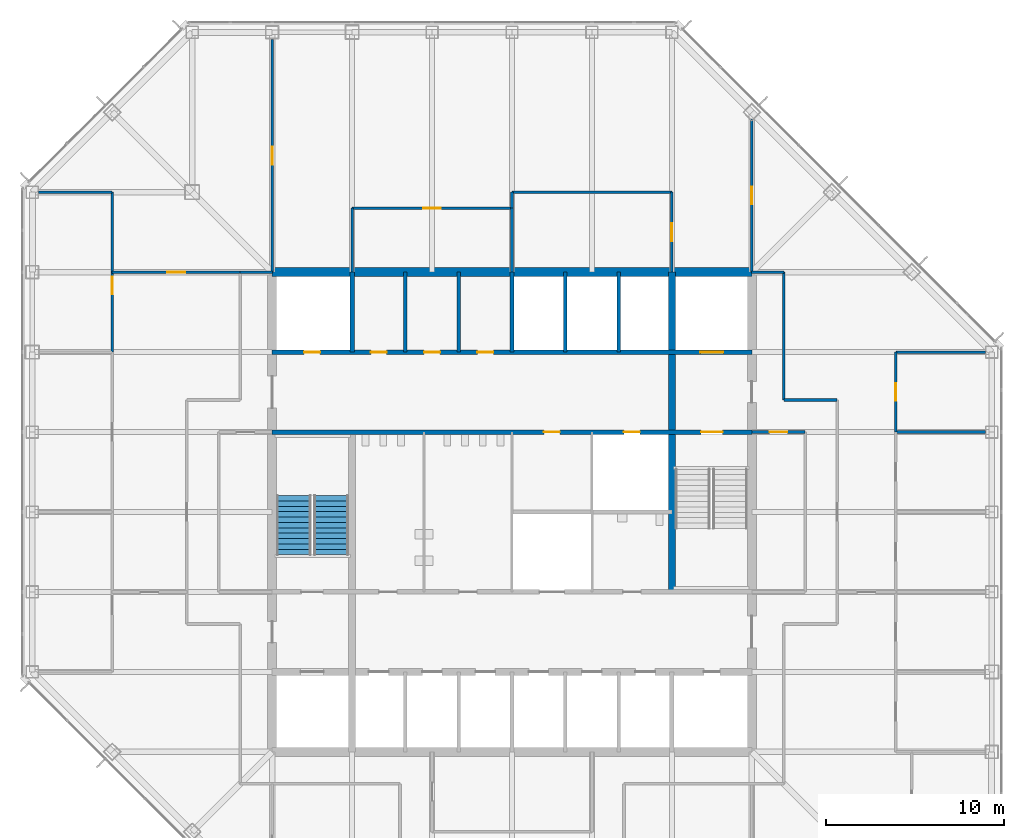
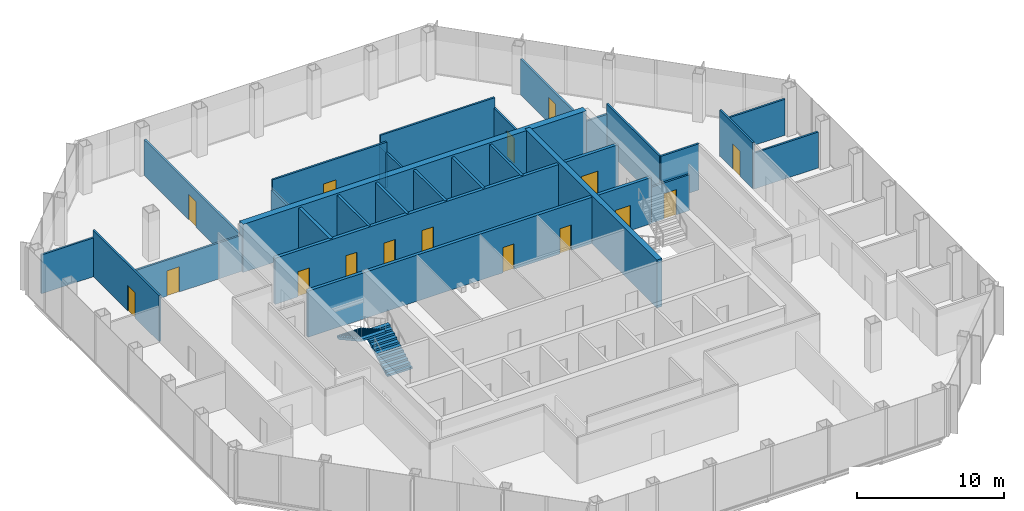
# One storey, part 10 of 13: 29 walls, 16 doors, 2 stair flights, 16 openings, 1 element without a shape of its own.
"""IFC4 building model written with IfcOpenShell, lengths in metres."""

from ifc_helpers import new_model, si_unit, direction, frame, frame_2d, origin, place, context, subcontext, project, spatial, polyline, rectangle, outline, extrude, material, layer, layer_set, type_object, element, fill, aggregate, save


model = new_model("IFC4")

# Units and contexts
model_context = context("Model", 3, precision=1e-05, world=origin(), true_north=direction((0.0, 1.0)))
body_context = subcontext(model_context, "Body", "Model", "MODEL_VIEW")
ifc_project = project(units=[si_unit("LENGTHUNIT", "METRE"), si_unit("AREAUNIT", "SQUARE_METRE"), si_unit("VOLUMEUNIT", "CUBIC_METRE"), si_unit("PLANEANGLEUNIT", "RADIAN"), si_unit("MASSUNIT", "GRAM", prefix="KILO")], contexts=[model_context])

# Site, building, storey
site_placement = place(None, origin())
site = spatial("IfcSite", under=ifc_project, at=site_placement, CompositionType="ELEMENT")
building_placement = place(site_placement, origin())
building = spatial("IfcBuilding", under=site, at=building_placement, Name="Corais Broadcast Tower", CompositionType="ELEMENT")
storey_placement = place(building_placement, frame((0.0, 0.0, 175.60009765625)))
storey = spatial("IfcBuildingStorey", under=building, at=storey_placement, Name="L40", CompositionType="ELEMENT", Elevation=175.60009765625)

# Wall
ifc_material_1 = material(Name="Concrete blockwork class A, grouted, two-hour", Category="masonry")
ifc_layer_1 = layer(ifc_material_1, 0.25)
ifc_layer_set_1 = layer_set([ifc_layer_1], Name="Concrete blockwork class A, grouted, two-hour")
wall_type_1 = type_object("IfcWallType", Name="Core lobby wall 250", PredefinedType="SOLIDWALL", material=ifc_layer_set_1)
wall_1_placement = place(storey_placement, frame((18.0, 36.0, 0.0), z_axis=(0.0, 0.0, 1.0), x_axis=(0.0, 1.0, 0.0)))
element("IfcWall", 1, at=wall_1_placement, inside=storey, type_object=wall_type_1, Name="CL2 core shaft wall X18B L40", PredefinedType="SOLIDWALL", context=body_context, shape_type="SweptSolid", body=[
    extrude(rectangle(XDim=4.5, YDim=0.25, at=frame_2d((2.25, 0.0))), origin(), (0.0, 0.0, 1.0), 3.83984375),
])

# Wall, openings, doors
wall_2_placement = place(storey_placement, frame((13.5, 31.5, 0.0), z_axis=(0.0, 0.0, 1.0), x_axis=(1.0, 0.0, 0.0)))
wall_2 = element("IfcWall", 2, at=wall_2_placement, inside=storey, type_object=wall_type_1, Name="CL2 core lobby wall Y315 L40", PredefinedType="SOLIDWALL", context=body_context, shape_type="SweptSolid", body=[
    extrude(rectangle(XDim=27.0, YDim=0.25, at=frame_2d((13.5, 0.0))), origin(), (0.0, 0.0, 1.0), 3.83984375),
])
opening_1_placement = place(wall_2_placement, frame((24.14990234375, 0.0, 0.0)))
opening_1 = element("IfcOpeningElement", 3, at=opening_1_placement, cuts=wall_2, Name="Opening FD1", PredefinedType="OPENING", context=body_context, shape_type="SweptSolid", body=[
    extrude(rectangle(XDim=1.199951171875, YDim=2.10009765625, at=frame_2d((0.60009765625, 1.050048828125))), frame((0.0, 0.135009765625, 0.0), z_axis=(0.0, -1.0, 0.0), x_axis=(1.0, 0.0, 0.0)), (0.0, 0.0, 1.0), 0.27001953125),
])
opening_2_placement = place(wall_2_placement, frame((15.300048828125, 0.0, 0.0)))
opening_2 = element("IfcOpeningElement", 4, at=opening_2_placement, cuts=wall_2, Name="Opening RD1", PredefinedType="OPENING", context=body_context, shape_type="SweptSolid", body=[
    extrude(rectangle(XDim=0.89990234375, YDim=2.10009765625, at=frame_2d((0.449951171875, 1.050048828125))), frame((0.0, 0.135009765625, 0.0), z_axis=(0.0, -1.0, 0.0), x_axis=(1.0, 0.0, 0.0)), (0.0, 0.0, 1.0), 0.27001953125),
])
opening_3_placement = place(wall_2_placement, frame((19.800048828125, 0.0, 0.0)))
opening_3 = element("IfcOpeningElement", 5, at=opening_3_placement, cuts=wall_2, Name="Opening RD1", PredefinedType="OPENING", context=body_context, shape_type="SweptSolid", body=[
    extrude(rectangle(XDim=0.89990234375, YDim=2.10009765625, at=frame_2d((0.449951171875, 1.050048828125))), frame((0.0, 0.135009765625, 0.0), z_axis=(0.0, -1.0, 0.0), x_axis=(1.0, 0.0, 0.0)), (0.0, 0.0, 1.0), 0.27001953125),
])
ifc_material_2 = material(Name="Steel fire door", Category="steel")
door_type_1 = type_object("IfcDoorType", Name="Fire door 1200x2100", OperationType="SINGLE_SWING_LEFT", PredefinedType="DOOR", material=ifc_material_2)
door_1_placement = place(opening_1_placement, origin())
door_1 = element("IfcDoor", 6, at=door_1_placement, inside=storey, type_object=door_type_1, Name="FD1 stair B door L40", OperationType="SINGLE_SWING_RIGHT", OverallHeight=2.10009765625, OverallWidth=1.199951171875, PredefinedType="DOOR", context=body_context, shape_type="SweptSolid", body=[
    extrude(rectangle(XDim=1.199951171875, YDim=2.10009765625, at=frame_2d((0.60009765625, 1.050048828125))), frame((0.0, 0.02490234375, 0.0), z_axis=(0.0, -1.0, 0.0), x_axis=(1.0, 0.0, 0.0)), (0.0, 0.0, 1.0), 0.050048828125),
])
fill(opening_1, door_1)
ifc_material_3 = material(Name="Steel fire door", Category="steel")
door_type_2 = type_object("IfcDoorType", Name="Riser door 900x2100", OperationType="SINGLE_SWING_LEFT", PredefinedType="DOOR", material=ifc_material_3)
door_2_placement = place(opening_2_placement, origin())
door_2 = element("IfcDoor", 7, at=door_2_placement, inside=storey, type_object=door_type_2, Name="RD1 cleaner's store door L40", OperationType="SINGLE_SWING_RIGHT", OverallHeight=2.10009765625, OverallWidth=0.89990234375, PredefinedType="DOOR", context=body_context, shape_type="SweptSolid", body=[
    extrude(rectangle(XDim=0.89990234375, YDim=2.10009765625, at=frame_2d((0.449951171875, 1.050048828125))), frame((0.0, 0.02490234375, 0.0), z_axis=(0.0, -1.0, 0.0), x_axis=(1.0, 0.0, 0.0)), (0.0, 0.0, 1.0), 0.050048828125),
])
fill(opening_2, door_2)
door_3_placement = place(opening_3_placement, origin())
door_3 = element("IfcDoor", 8, at=door_3_placement, inside=storey, type_object=door_type_2, Name="RD1 riser door L40", OperationType="SINGLE_SWING_RIGHT", OverallHeight=2.10009765625, OverallWidth=0.89990234375, PredefinedType="DOOR", context=body_context, shape_type="SweptSolid", body=[
    extrude(rectangle(XDim=0.89990234375, YDim=2.10009765625, at=frame_2d((0.449951171875, 1.050048828125))), frame((0.0, 0.02490234375, 0.0), z_axis=(0.0, -1.0, 0.0), x_axis=(1.0, 0.0, 0.0)), (0.0, 0.0, 1.0), 0.050048828125),
])
fill(opening_3, door_3)

# Walls
ifc_material_4 = material(Name="Concrete C50/60", Category="concrete")
ifc_layer_2 = layer(ifc_material_4, 0.39990234375)
ifc_layer_set_2 = layer_set([ifc_layer_2], Name="Concrete C50/60")
wall_type_2 = type_object("IfcWallType", Name="Core wall 400", PredefinedType="SHEAR", material=ifc_layer_set_2)
wall_3_placement = place(storey_placement, frame((36.0, 22.5, 0.0), z_axis=(0.0, 0.0, 1.0), x_axis=(0.0, 1.0, 0.0)))
element("IfcWall", 9, at=wall_3_placement, inside=storey, type_object=wall_type_2, Name="CR400 core wall X36B L40", PredefinedType="SHEAR", context=body_context, shape_type="SweptSolid", body=[
    extrude(rectangle(XDim=18.0, YDim=0.39990234375, at=frame_2d((9.0, 0.0))), origin(), (0.0, 0.0, 1.0), 4.0),
])
ifc_material_5 = material(Name="Concrete C50/60", Category="concrete")
ifc_layer_3 = layer(ifc_material_5, 0.5)
ifc_layer_set_3 = layer_set([ifc_layer_3], Name="Concrete C50/60")
wall_type_3 = type_object("IfcWallType", Name="Core wall 500", PredefinedType="SHEAR", material=ifc_layer_set_3)
wall_4_placement = place(storey_placement, frame((40.5, 40.5, 0.0), z_axis=(0.0, 0.0, 1.0), x_axis=(-1.0, 0.0, 0.0)))
element("IfcWall", 10, at=wall_4_placement, inside=storey, type_object=wall_type_3, Name="CR500 core wall N L40", PredefinedType="SHEAR", context=body_context, shape_type="SweptSolid", body=[
    extrude(rectangle(XDim=27.0, YDim=0.5, at=frame_2d((13.5, 0.0))), origin(), (0.0, 0.0, 1.0), 4.0),
])

# Wall, openings, doors
ifc_material_6 = material(Name="Concrete blockwork class A, grouted, four-hour", Category="masonry")
ifc_layer_4 = layer(ifc_material_6, 0.25)
ifc_layer_set_4 = layer_set([ifc_layer_4], Name="Concrete blockwork class A, grouted, four-hour")
wall_type_4 = type_object("IfcWallType", Name="Emergency lift shaft wall 250", PredefinedType="SOLIDWALL", material=ifc_layer_set_4)
wall_5_placement = place(storey_placement, frame((13.5, 36.0, 0.0), z_axis=(0.0, 0.0, 1.0), x_axis=(1.0, 0.0, 0.0)))
wall_5 = element("IfcWall", 11, at=wall_5_placement, inside=storey, type_object=wall_type_4, Name="LS2 core lobby wall Y36 L40", PredefinedType="SOLIDWALL", context=body_context, shape_type="SweptSolid", body=[
    extrude(rectangle(XDim=27.0, YDim=0.25, at=frame_2d((13.5, 0.0))), origin(), (0.0, 0.0, 1.0), 3.83984375),
])
opening_4_placement = place(wall_5_placement, frame((1.800048828125, 0.0, 0.0)))
opening_4 = element("IfcOpeningElement", 12, at=opening_4_placement, cuts=wall_5, Name="Opening RD1", PredefinedType="OPENING", context=body_context, shape_type="SweptSolid", body=[
    extrude(rectangle(XDim=0.89990234375, YDim=2.10009765625, at=frame_2d((0.449951171875, 1.050048828125))), frame((0.0, 0.135009765625, 0.0), z_axis=(0.0, -1.0, 0.0), x_axis=(1.0, 0.0, 0.0)), (0.0, 0.0, 1.0), 0.27001953125),
])
opening_5_placement = place(wall_5_placement, frame((5.550048828125, 0.0, 0.0)))
opening_5 = element("IfcOpeningElement", 13, at=opening_5_placement, cuts=wall_5, Name="Opening RD1", PredefinedType="OPENING", context=body_context, shape_type="SweptSolid", body=[
    extrude(rectangle(XDim=0.89990234375, YDim=2.10009765625, at=frame_2d((0.449951171875, 1.050048828125))), frame((0.0, 0.135009765625, 0.0), z_axis=(0.0, -1.0, 0.0), x_axis=(1.0, 0.0, 0.0)), (0.0, 0.0, 1.0), 0.27001953125),
])
opening_6_placement = place(wall_5_placement, frame((8.550048828125, 0.0, 0.0)))
opening_6 = element("IfcOpeningElement", 14, at=opening_6_placement, cuts=wall_5, Name="Opening RD1", PredefinedType="OPENING", context=body_context, shape_type="SweptSolid", body=[
    extrude(rectangle(XDim=0.89990234375, YDim=2.10009765625, at=frame_2d((0.449951171875, 1.050048828125))), frame((0.0, 0.135009765625, 0.0), z_axis=(0.0, -1.0, 0.0), x_axis=(1.0, 0.0, 0.0)), (0.0, 0.0, 1.0), 0.27001953125),
])
opening_7_placement = place(wall_5_placement, frame((11.550048828125, 0.0, 0.0)))
opening_7 = element("IfcOpeningElement", 15, at=opening_7_placement, cuts=wall_5, Name="Opening RD1", PredefinedType="OPENING", context=body_context, shape_type="SweptSolid", body=[
    extrude(rectangle(XDim=0.89990234375, YDim=2.10009765625, at=frame_2d((0.449951171875, 1.050048828125))), frame((0.0, 0.135009765625, 0.0), z_axis=(0.0, -1.0, 0.0), x_axis=(1.0, 0.0, 0.0)), (0.0, 0.0, 1.0), 0.27001953125),
])
opening_8_placement = place(wall_5_placement, frame((24.10009765625, 0.0, 0.0)))
opening_8 = element("IfcOpeningElement", 16, at=opening_8_placement, cuts=wall_5, Name="Opening LD2", PredefinedType="OPENING", context=body_context, shape_type="SweptSolid", body=[
    extrude(rectangle(XDim=1.300048828125, YDim=2.199951171875, at=frame_2d((0.64990234375, 1.10009765625))), frame((0.0, 0.135009765625, 0.0), z_axis=(0.0, -1.0, 0.0), x_axis=(1.0, 0.0, 0.0)), (0.0, 0.0, 1.0), 0.27001953125),
])
ifc_material_7 = material(Name="Stainless steel lift door", Category="steel")
door_type_3 = type_object("IfcDoorType", Name="Lift landing door 1300x2200", OperationType="SLIDING_TO_LEFT", PredefinedType="DOOR", material=ifc_material_7)
door_4_placement = place(opening_8_placement, origin())
door_4 = element("IfcDoor", 17, at=door_4_placement, inside=storey, type_object=door_type_3, Name="LD2 FL2 landing door L40", OperationType="SLIDING_TO_LEFT", OverallHeight=2.199951171875, OverallWidth=1.300048828125, PredefinedType="DOOR", context=body_context, shape_type="SweptSolid", body=[
    extrude(rectangle(XDim=1.300048828125, YDim=2.199951171875, at=frame_2d((0.64990234375, 1.10009765625))), frame((0.0, 0.02490234375, 0.0), z_axis=(0.0, -1.0, 0.0), x_axis=(1.0, 0.0, 0.0)), (0.0, 0.0, 1.0), 0.050048828125),
])
fill(opening_8, door_4)
door_5_placement = place(opening_4_placement, origin())
door_5 = element("IfcDoor", 18, at=door_5_placement, inside=storey, type_object=door_type_2, Name="RD1 riser door L40", OperationType="SINGLE_SWING_LEFT", OverallHeight=2.10009765625, OverallWidth=0.89990234375, PredefinedType="DOOR", context=body_context, shape_type="SweptSolid", body=[
    extrude(rectangle(XDim=0.89990234375, YDim=2.10009765625, at=frame_2d((0.449951171875, 1.050048828125))), frame((0.0, 0.02490234375, 0.0), z_axis=(0.0, -1.0, 0.0), x_axis=(1.0, 0.0, 0.0)), (0.0, 0.0, 1.0), 0.050048828125),
])
fill(opening_4, door_5)
door_6_placement = place(opening_5_placement, origin())
door_6 = element("IfcDoor", 19, at=door_6_placement, inside=storey, type_object=door_type_2, Name="RD1 print room door L40", OperationType="SINGLE_SWING_LEFT", OverallHeight=2.10009765625, OverallWidth=0.89990234375, PredefinedType="DOOR", context=body_context, shape_type="SweptSolid", body=[
    extrude(rectangle(XDim=0.89990234375, YDim=2.10009765625, at=frame_2d((0.449951171875, 1.050048828125))), frame((0.0, 0.02490234375, 0.0), z_axis=(0.0, -1.0, 0.0), x_axis=(1.0, 0.0, 0.0)), (0.0, 0.0, 1.0), 0.050048828125),
])
fill(opening_5, door_6)
door_7_placement = place(opening_6_placement, origin())
door_7 = element("IfcDoor", 20, at=door_7_placement, inside=storey, type_object=door_type_2, Name="RD1 wellness room door L40", OperationType="SINGLE_SWING_LEFT", OverallHeight=2.10009765625, OverallWidth=0.89990234375, PredefinedType="DOOR", context=body_context, shape_type="SweptSolid", body=[
    extrude(rectangle(XDim=0.89990234375, YDim=2.10009765625, at=frame_2d((0.449951171875, 1.050048828125))), frame((0.0, 0.02490234375, 0.0), z_axis=(0.0, -1.0, 0.0), x_axis=(1.0, 0.0, 0.0)), (0.0, 0.0, 1.0), 0.050048828125),
])
fill(opening_6, door_7)
door_8_placement = place(opening_7_placement, origin())
door_8 = element("IfcDoor", 21, at=door_8_placement, inside=storey, type_object=door_type_2, Name="RD1 first aid room door L40", OperationType="SINGLE_SWING_LEFT", OverallHeight=2.10009765625, OverallWidth=0.89990234375, PredefinedType="DOOR", context=body_context, shape_type="SweptSolid", body=[
    extrude(rectangle(XDim=0.89990234375, YDim=2.10009765625, at=frame_2d((0.449951171875, 1.050048828125))), frame((0.0, 0.02490234375, 0.0), z_axis=(0.0, -1.0, 0.0), x_axis=(1.0, 0.0, 0.0)), (0.0, 0.0, 1.0), 0.050048828125),
])
fill(opening_7, door_8)

# Walls
ifc_material_8 = material(Name="Gypsum board on steel studs", Category="steel")
ifc_layer_5 = layer(ifc_material_8, 0.14990234375)
ifc_layer_set_5 = layer_set([ifc_layer_5], Name="Gypsum board on steel studs")
wall_type_5 = type_object("IfcWallType", Name="Partition 150", PredefinedType="PARTITIONING", material=ifc_layer_set_5)
wall_6_placement = place(storey_placement, frame((42.300048828125, 33.300048828125, 0.0), z_axis=(0.0, 0.0, 1.0), x_axis=(0.0, 1.0, 0.0)))
element("IfcWall", 22, at=wall_6_placement, inside=storey, type_object=wall_type_5, Name="IW3 corridor wall L40", PredefinedType="PARTITIONING", context=body_context, shape_type="SweptSolid", body=[
    extrude(rectangle(XDim=7.199951171875, YDim=0.14990234375, at=frame_2d((3.60009765625, 0.0))), origin(), (0.0, 0.0, 1.0), 3.83984375),
])
wall_7_placement = place(storey_placement, frame((45.300048828125, 33.300048828125, 0.0), z_axis=(0.0, 0.0, 1.0), x_axis=(-1.0, 0.0, 0.0)))
element("IfcWall", 23, at=wall_7_placement, inside=storey, type_object=wall_type_5, Name="IW3 corridor wall L40", PredefinedType="PARTITIONING", context=body_context, shape_type="SweptSolid", body=[
    extrude(rectangle(XDim=3.0, YDim=0.14990234375, at=frame_2d((1.5, 0.0))), origin(), (0.0, 0.0, 1.0), 3.83984375),
])
for number, where, z_axis, x_axis, name in (
    (24, (13.510009765625, 40.5, 0.0), (0.0, 0.0, 1.0), (-1.0, 0.0, 0.0), "IW3 corridor wall L40"),
    (25, (42.300048828125, 40.5, 0.0), (0.0, 0.0, 1.0), (-1.0, 0.0, 0.0), "IW3 corridor wall L40"),
):
    element("IfcWall", number, at=place(storey_placement, frame(where, z_axis=z_axis, x_axis=x_axis)), inside=storey, type_object=wall_type_5, Name=name, PredefinedType="PARTITIONING", context=body_context, shape_type="SweptSolid", body=[
        extrude(rectangle(XDim=1.81005859375, YDim=0.14990234375, at=frame_2d((0.905029296875, 0.0))), origin(), (0.0, 0.0, 1.0), 2.989013671875),
    ])

# Wall, opening, door
wall_8_placement = place(storey_placement, frame((4.5, 36.0, 0.0), z_axis=(0.0, 0.0, 1.0), x_axis=(0.0, 1.0, 0.0)))
wall_8 = element("IfcWall", 26, at=wall_8_placement, inside=storey, type_object=wall_type_5, Name="IW3 partition L40", PredefinedType="PARTITIONING", context=body_context, shape_type="SweptSolid", body=[
    extrude(rectangle(XDim=9.0, YDim=0.14990234375, at=frame_2d((4.5, 0.0))), origin(), (0.0, 0.0, 1.0), 3.83984375),
])
opening_9_placement = place(wall_8_placement, frame((3.25, 0.0, 0.0)))
opening_9 = element("IfcOpeningElement", 27, at=opening_9_placement, cuts=wall_8, Name="Opening D1", PredefinedType="OPENING", context=body_context, shape_type="SweptSolid", body=[
    extrude(rectangle(XDim=1.0, YDim=2.10009765625, at=frame_2d((0.5, 1.050048828125))), frame((0.0, 0.0849609375, 0.0), z_axis=(0.0, -1.0, 0.0), x_axis=(1.0, 0.0, 0.0)), (0.0, 0.0, 1.0), 0.169921875),
])
ifc_material_9 = material(Name="Timber door", Category="wood")
door_type_4 = type_object("IfcDoorType", Name="Single door 1000x2100", OperationType="SINGLE_SWING_LEFT", PredefinedType="DOOR", material=ifc_material_9)
door_9_placement = place(opening_9_placement, origin())
door_9 = element("IfcDoor", 28, at=door_9_placement, inside=storey, type_object=door_type_4, Name="D1 Office door", OperationType="SINGLE_SWING_LEFT", OverallHeight=2.10009765625, OverallWidth=1.0, PredefinedType="DOOR", context=body_context, shape_type="SweptSolid", body=[
    extrude(rectangle(XDim=1.0, YDim=2.10009765625, at=frame_2d((0.5, 1.050048828125))), frame((0.0, 0.02490234375, 0.0), z_axis=(0.0, -1.0, 0.0), x_axis=(1.0, 0.0, 0.0)), (0.0, 0.0, 1.0), 0.050048828125),
])
fill(opening_9, door_9)

# Walls
wall_9_placement = place(storey_placement, frame((4.5, 45.0, 0.0), z_axis=(0.0, 0.0, 1.0), x_axis=(-1.0, 0.0, 0.0)))
element("IfcWall", 29, at=wall_9_placement, inside=storey, type_object=wall_type_5, Name="IW3 partition L40", PredefinedType="PARTITIONING", context=body_context, shape_type="SweptSolid", body=[
    extrude(rectangle(XDim=4.139892578125, YDim=0.14990234375, at=frame_2d((2.06982421875, 0.0))), origin(), (0.0, 0.0, 1.0), 3.22900390625),
])
for number, where, z_axis, x_axis, name in (
    (30, (53.639892578125, 31.5, 0.0), (0.0, 0.0, 1.0), (-1.0, 0.0, 0.0), "IW3 partition L40"),
    (31, (53.639892578125, 36.0, 0.0), (0.0, 0.0, 1.0), (-1.0, 0.0, 0.0), "IW3 partition L40"),
):
    element("IfcWall", number, at=place(storey_placement, frame(where, z_axis=z_axis, x_axis=x_axis)), inside=storey, type_object=wall_type_5, Name=name, PredefinedType="PARTITIONING", context=body_context, shape_type="SweptSolid", body=[
        extrude(rectangle(XDim=5.039794921875, YDim=0.14990234375, at=frame_2d((2.52001953125, 0.0))), origin(), (0.0, 0.0, 1.0), 2.989013671875),
    ])

# Wall, opening, door
wall_10_placement = place(storey_placement, frame((48.60009765625, 36.0, 0.0), z_axis=(0.0, 0.0, 1.0), x_axis=(0.0, -1.0, 0.0)))
wall_10 = element("IfcWall", 32, at=wall_10_placement, inside=storey, type_object=wall_type_5, Name="IW3 partition L40", PredefinedType="PARTITIONING", context=body_context, shape_type="SweptSolid", body=[
    extrude(rectangle(XDim=4.5, YDim=0.14990234375, at=frame_2d((2.25, 0.0))), origin(), (0.0, 0.0, 1.0), 3.83984375),
])
opening_10_placement = place(wall_10_placement, frame((1.75, 0.0, 0.0)))
opening_10 = element("IfcOpeningElement", 33, at=opening_10_placement, cuts=wall_10, Name="Opening D1", PredefinedType="OPENING", context=body_context, shape_type="SweptSolid", body=[
    extrude(rectangle(XDim=1.0, YDim=2.10009765625, at=frame_2d((0.5, 1.050048828125))), frame((0.0, 0.0849609375, 0.0), z_axis=(0.0, -1.0, 0.0), x_axis=(1.0, 0.0, 0.0)), (0.0, 0.0, 1.0), 0.169921875),
])
door_10_placement = place(opening_10_placement, origin())
door_10 = element("IfcDoor", 34, at=door_10_placement, inside=storey, type_object=door_type_4, Name="D1 Office door", OperationType="SINGLE_SWING_LEFT", OverallHeight=2.10009765625, OverallWidth=1.0, PredefinedType="DOOR", context=body_context, shape_type="SweptSolid", body=[
    extrude(rectangle(XDim=1.0, YDim=2.10009765625, at=frame_2d((0.5, 1.050048828125))), frame((0.0, 0.02490234375, 0.0), z_axis=(0.0, -1.0, 0.0), x_axis=(1.0, 0.0, 0.0)), (0.0, 0.0, 1.0), 0.050048828125),
])
fill(opening_10, door_10)

# Wall
wall_11_placement = place(storey_placement, frame((27.0, 40.5, 0.0), z_axis=(0.0, 0.0, 1.0), x_axis=(0.0, 1.0, 0.0)))
element("IfcWall", 35, at=wall_11_placement, inside=storey, type_object=wall_type_5, Name="IW3 partition L40", PredefinedType="PARTITIONING", context=body_context, shape_type="SweptSolid", body=[
    extrude(rectangle(XDim=3.60009765625, YDim=0.14990234375, at=frame_2d((1.800048828125, 0.0))), origin(), (0.0, 0.0, 1.0), 2.989013671875),
])

# Wall, opening, door
wall_12_placement = place(storey_placement, frame((27.0, 44.10009765625, 0.0), z_axis=(0.0, 0.0, 1.0), x_axis=(-1.0, 0.0, 0.0)))
wall_12 = element("IfcWall", 36, at=wall_12_placement, inside=storey, type_object=wall_type_5, Name="IW3 partition L40", PredefinedType="PARTITIONING", context=body_context, shape_type="SweptSolid", body=[
    extrude(rectangle(XDim=9.0, YDim=0.14990234375, at=frame_2d((4.5, 0.0))), origin(), (0.0, 0.0, 1.0), 3.83984375),
])
opening_11_placement = place(wall_12_placement, frame((4.0, 0.0, 0.0)))
opening_11 = element("IfcOpeningElement", 37, at=opening_11_placement, cuts=wall_12, Name="Opening D1", PredefinedType="OPENING", context=body_context, shape_type="SweptSolid", body=[
    extrude(rectangle(XDim=1.0, YDim=2.10009765625, at=frame_2d((0.5, 1.050048828125))), frame((0.0, 0.0849609375, 0.0), z_axis=(0.0, -1.0, 0.0), x_axis=(1.0, 0.0, 0.0)), (0.0, 0.0, 1.0), 0.169921875),
])
door_11_placement = place(opening_11_placement, origin())
door_11 = element("IfcDoor", 38, at=door_11_placement, inside=storey, type_object=door_type_4, Name="D1 Pantry door", OperationType="SINGLE_SWING_LEFT", OverallHeight=2.10009765625, OverallWidth=1.0, PredefinedType="DOOR", context=body_context, shape_type="SweptSolid", body=[
    extrude(rectangle(XDim=1.0, YDim=2.10009765625, at=frame_2d((0.5, 1.050048828125))), frame((0.0, 0.02490234375, 0.0), z_axis=(0.0, -1.0, 0.0), x_axis=(1.0, 0.0, 0.0)), (0.0, 0.0, 1.0), 0.050048828125),
])
fill(opening_11, door_11)

# Wall
wall_13_placement = place(storey_placement, frame((18.0, 44.10009765625, 0.0), z_axis=(0.0, 0.0, 1.0), x_axis=(0.0, -1.0, 0.0)))
element("IfcWall", 39, at=wall_13_placement, inside=storey, type_object=wall_type_5, Name="IW3 partition L40", PredefinedType="PARTITIONING", context=body_context, shape_type="SweptSolid", body=[
    extrude(rectangle(XDim=3.60009765625, YDim=0.14990234375, at=frame_2d((1.800048828125, 0.0))), origin(), (0.0, 0.0, 1.0), 2.989013671875),
])

# Wall, opening, door
wall_14_placement = place(storey_placement, frame((36.0, 40.5, 0.0), z_axis=(0.0, 0.0, 1.0), x_axis=(0.0, 1.0, 0.0)))
wall_14 = element("IfcWall", 40, at=wall_14_placement, inside=storey, type_object=wall_type_5, Name="IW3 partition L40", PredefinedType="PARTITIONING", context=body_context, shape_type="SweptSolid", body=[
    extrude(rectangle(XDim=4.5, YDim=0.14990234375, at=frame_2d((2.25, 0.0))), origin(), (0.0, 0.0, 1.0), 2.989013671875),
])
opening_12_placement = place(wall_14_placement, frame((1.75, 0.0, 0.0)))
opening_12 = element("IfcOpeningElement", 41, at=opening_12_placement, cuts=wall_14, Name="Opening D1", PredefinedType="OPENING", context=body_context, shape_type="SweptSolid", body=[
    extrude(rectangle(XDim=1.0, YDim=2.10009765625, at=frame_2d((0.5, 1.050048828125))), frame((0.0, 0.0849609375, 0.0), z_axis=(0.0, -1.0, 0.0), x_axis=(1.0, 0.0, 0.0)), (0.0, 0.0, 1.0), 0.169921875),
])
door_12_placement = place(opening_12_placement, origin())
door_12 = element("IfcDoor", 42, at=door_12_placement, inside=storey, type_object=door_type_4, Name="D1 Meeting room door", OperationType="SINGLE_SWING_LEFT", OverallHeight=2.10009765625, OverallWidth=1.0, PredefinedType="DOOR", context=body_context, shape_type="SweptSolid", body=[
    extrude(rectangle(XDim=1.0, YDim=2.10009765625, at=frame_2d((0.5, 1.050048828125))), frame((0.0, 0.02490234375, 0.0), z_axis=(0.0, -1.0, 0.0), x_axis=(1.0, 0.0, 0.0)), (0.0, 0.0, 1.0), 0.050048828125),
])
fill(opening_12, door_12)

# Walls
wall_15_placement = place(storey_placement, frame((36.0, 45.0, 0.0), z_axis=(0.0, 0.0, 1.0), x_axis=(-1.0, 0.0, 0.0)))
element("IfcWall", 43, at=wall_15_placement, inside=storey, type_object=wall_type_5, Name="IW3 partition L40", PredefinedType="PARTITIONING", context=body_context, shape_type="SweptSolid", body=[
    extrude(rectangle(XDim=9.0, YDim=0.14990234375, at=frame_2d((4.5, 0.0))), origin(), (0.0, 0.0, 1.0), 3.83984375),
])
wall_16_placement = place(storey_placement, frame((27.0, 45.0, 0.0), z_axis=(0.0, 0.0, 1.0), x_axis=(0.0, -1.0, 0.0)))
element("IfcWall", 44, at=wall_16_placement, inside=storey, type_object=wall_type_5, Name="IW3 partition L40", PredefinedType="PARTITIONING", context=body_context, shape_type="SweptSolid", body=[
    extrude(rectangle(XDim=0.89990234375, YDim=0.14990234375, at=frame_2d((0.449951171875, 0.0))), origin(), (0.0, 0.0, 1.0), 2.989013671875),
])

# Wall, opening, door
wall_17_placement = place(storey_placement, frame((43.5, 31.5, 0.0), z_axis=(0.0, 0.0, 1.0), x_axis=(-1.0, 0.0, 0.0)))
wall_17 = element("IfcWall", 45, at=wall_17_placement, inside=storey, type_object=wall_type_5, Name="IW3 partition L40", PredefinedType="PARTITIONING", context=body_context, shape_type="SweptSolid", body=[
    extrude(rectangle(XDim=3.0, YDim=0.14990234375, at=frame_2d((1.5, 0.0))), origin(), (0.0, 0.0, 1.0), 2.989013671875),
])
opening_13_placement = place(wall_17_placement, frame((1.0, 0.0, 0.0)))
opening_13 = element("IfcOpeningElement", 46, at=opening_13_placement, cuts=wall_17, Name="Opening D1", PredefinedType="OPENING", context=body_context, shape_type="SweptSolid", body=[
    extrude(rectangle(XDim=1.0, YDim=2.10009765625, at=frame_2d((0.5, 1.050048828125))), frame((0.0, 0.0849609375, 0.0), z_axis=(0.0, -1.0, 0.0), x_axis=(1.0, 0.0, 0.0)), (0.0, 0.0, 1.0), 0.169921875),
])
door_13_placement = place(opening_13_placement, origin())
door_13 = element("IfcDoor", 47, at=door_13_placement, inside=storey, type_object=door_type_4, Name="D1 Breakout lounge door", OperationType="SINGLE_SWING_LEFT", OverallHeight=2.10009765625, OverallWidth=1.0, PredefinedType="DOOR", context=body_context, shape_type="SweptSolid", body=[
    extrude(rectangle(XDim=1.0, YDim=2.10009765625, at=frame_2d((0.5, 1.050048828125))), frame((0.0, 0.02490234375, 0.0), z_axis=(0.0, -1.0, 0.0), x_axis=(1.0, 0.0, 0.0)), (0.0, 0.0, 1.0), 0.050048828125),
])
fill(opening_13, door_13)

wall_18_placement = place(storey_placement, frame((13.5, 40.5, 0.0), z_axis=(0.0, 0.0, 1.0), x_axis=(0.0, 1.0, 0.0)))
wall_18 = element("IfcWall", 48, at=wall_18_placement, inside=storey, type_object=wall_type_5, Name="IW3 partition L40", PredefinedType="PARTITIONING", context=body_context, shape_type="SweptSolid", body=[
    extrude(rectangle(XDim=13.10498046875, YDim=0.14990234375, at=frame_2d((6.552490234375, 0.0))), origin(), (0.0, 0.0, 1.0), 2.989013671875),
])
opening_14_placement = place(wall_18_placement, frame((6.052490234375, 0.0, 0.0)))
opening_14 = element("IfcOpeningElement", 49, at=opening_14_placement, cuts=wall_18, Name="Opening D1", PredefinedType="OPENING", context=body_context, shape_type="SweptSolid", body=[
    extrude(rectangle(XDim=1.0, YDim=2.10009765625, at=frame_2d((0.5, 1.050048828125))), frame((0.0, 0.0849609375, 0.0), z_axis=(0.0, -1.0, 0.0), x_axis=(1.0, 0.0, 0.0)), (0.0, 0.0, 1.0), 0.169921875),
])
door_14_placement = place(opening_14_placement, origin())
door_14 = element("IfcDoor", 50, at=door_14_placement, inside=storey, type_object=door_type_4, Name="D1 team room door L40", OperationType="SINGLE_SWING_LEFT", OverallHeight=2.10009765625, OverallWidth=1.0, PredefinedType="DOOR", context=body_context, shape_type="SweptSolid", body=[
    extrude(rectangle(XDim=1.0, YDim=2.10009765625, at=frame_2d((0.5, 1.050048828125))), frame((0.0, 0.02490234375, 0.0), z_axis=(0.0, -1.0, 0.0), x_axis=(1.0, 0.0, 0.0)), (0.0, 0.0, 1.0), 0.050048828125),
])
fill(opening_14, door_14)

wall_19_placement = place(storey_placement, frame((40.5, 49.1298828125, 0.0), z_axis=(0.0, 0.0, 1.0), x_axis=(0.0, -1.0, 0.0)))
wall_19 = element("IfcWall", 51, at=wall_19_placement, inside=storey, type_object=wall_type_5, Name="IW3 partition L40", PredefinedType="PARTITIONING", context=body_context, shape_type="SweptSolid", body=[
    extrude(rectangle(XDim=8.6298828125, YDim=0.14990234375, at=frame_2d((4.31494140625, 0.0))), origin(), (0.0, 0.0, 1.0), 2.989013671875),
])
opening_15_placement = place(wall_19_placement, frame((3.81494140625, 0.0, 0.0)))
opening_15 = element("IfcOpeningElement", 52, at=opening_15_placement, cuts=wall_19, Name="Opening D1", PredefinedType="OPENING", context=body_context, shape_type="SweptSolid", body=[
    extrude(rectangle(XDim=1.0, YDim=2.10009765625, at=frame_2d((0.5, 1.050048828125))), frame((0.0, 0.0849609375, 0.0), z_axis=(0.0, -1.0, 0.0), x_axis=(1.0, 0.0, 0.0)), (0.0, 0.0, 1.0), 0.169921875),
])
door_15_placement = place(opening_15_placement, origin())
door_15 = element("IfcDoor", 53, at=door_15_placement, inside=storey, type_object=door_type_4, Name="D1 team room door L40", OperationType="SINGLE_SWING_LEFT", OverallHeight=2.10009765625, OverallWidth=1.0, PredefinedType="DOOR", context=body_context, shape_type="SweptSolid", body=[
    extrude(rectangle(XDim=1.0, YDim=2.10009765625, at=frame_2d((0.5, 1.050048828125))), frame((0.0, 0.02490234375, 0.0), z_axis=(0.0, -1.0, 0.0), x_axis=(1.0, 0.0, 0.0)), (0.0, 0.0, 1.0), 0.050048828125),
])
fill(opening_15, door_15)

wall_20_placement = place(storey_placement, frame((11.719970703125, 40.5, 0.0), z_axis=(0.0, 0.0, 1.0), x_axis=(-1.0, 0.0, 0.0)))
wall_20 = element("IfcWall", 54, at=wall_20_placement, inside=storey, type_object=wall_type_5, Name="IW3 partition L40", PredefinedType="PARTITIONING", context=body_context, shape_type="SweptSolid", body=[
    extrude(rectangle(XDim=7.219970703125, YDim=0.14990234375, at=frame_2d((3.60986328125, 0.0))), origin(), (0.0, 0.0, 1.0), 2.989013671875),
])
opening_16_placement = place(wall_20_placement, frame((3.110107421875, 0.0, 0.0)))
opening_16 = element("IfcOpeningElement", 55, at=opening_16_placement, cuts=wall_20, Name="Opening D1", PredefinedType="OPENING", context=body_context, shape_type="SweptSolid", body=[
    extrude(rectangle(XDim=1.0, YDim=2.10009765625, at=frame_2d((0.5, 1.050048828125))), frame((0.0, 0.0849609375, 0.0), z_axis=(0.0, -1.0, 0.0), x_axis=(1.0, 0.0, 0.0)), (0.0, 0.0, 1.0), 0.169921875),
])
door_16_placement = place(opening_16_placement, origin())
door_16 = element("IfcDoor", 56, at=door_16_placement, inside=storey, type_object=door_type_4, Name="D1 team room door L40", OperationType="SINGLE_SWING_LEFT", OverallHeight=2.10009765625, OverallWidth=1.0, PredefinedType="DOOR", context=body_context, shape_type="SweptSolid", body=[
    extrude(rectangle(XDim=1.0, YDim=2.10009765625, at=frame_2d((0.5, 1.050048828125))), frame((0.0, 0.02490234375, 0.0), z_axis=(0.0, -1.0, 0.0), x_axis=(1.0, 0.0, 0.0)), (0.0, 0.0, 1.0), 0.050048828125),
])
fill(opening_16, door_16)

# Walls
ifc_material_10 = material(Name="Concrete blockwork class A, grouted, two-hour", Category="masonry")
ifc_layer_6 = layer(ifc_material_10, 0.199951171875)
ifc_layer_set_6 = layer_set([ifc_layer_6], Name="Concrete blockwork class A, grouted, two-hour")
wall_type_6 = type_object("IfcWallType", Name="Shaft wall 200", PredefinedType="PARTITIONING", material=ifc_layer_set_6)
for number, where, z_axis, x_axis, name in (
    (57, (21.0, 36.0, 0.0), (0.0, 0.0, 1.0), (0.0, 1.0, 0.0), "IW1 shaft wall L40"),
    (58, (24.0, 36.0, 0.0), (0.0, 0.0, 1.0), (0.0, 1.0, 0.0), "IW1 shaft wall L40"),
    (59, (27.0, 36.0, 0.0), (0.0, 0.0, 1.0), (0.0, 1.0, 0.0), "IW1 shaft wall L40"),
    (60, (30.0, 36.0, 0.0), (0.0, 0.0, 1.0), (0.0, 1.0, 0.0), "IW1 shaft wall L40"),
    (61, (33.0, 36.0, 0.0), (0.0, 0.0, 1.0), (0.0, 1.0, 0.0), "IW1 shaft wall L40"),
):
    element("IfcWall", number, at=place(storey_placement, frame(where, z_axis=z_axis, x_axis=x_axis)), inside=storey, type_object=wall_type_6, Name=name, PredefinedType="PARTITIONING", context=body_context, shape_type="SweptSolid", body=[
        extrude(rectangle(XDim=4.5, YDim=0.199951171875, at=frame_2d((2.25, 0.0))), origin(), (0.0, 0.0, 1.0), 3.83984375),
    ])

# Stair, stair flights
ifc_material_11 = material(Name="Concrete C30/37", Category="concrete")
stair_type = type_object("IfcStairType", Name="Half-turn stair 4000", PredefinedType="HALF_TURN_STAIR", material=ifc_material_11)
stair_placement = place(storey_placement, origin())
stair = element("IfcStair", 62, at=stair_placement, inside=storey, type_object=stair_type, Name="Stair A L40", PredefinedType="HALF_TURN_STAIR")
ifc_material_12 = material(Name="Concrete C30/37", Category="concrete")
stair_flight_type = type_object("IfcStairFlightType", Name="Stair flight 4000", PredefinedType="STRAIGHT", material=ifc_material_12)
stair_flight_1_placement = place(storey_placement, frame((16.824951171875, 24.60009765625, 0.0), z_axis=(0.0, 0.0, 1.0), x_axis=(0.0, 1.0, 0.0)))
stair_flight_1 = element("IfcStairFlight", 63, at=stair_flight_1_placement, type_object=stair_flight_type, Name="STA flight 1", NumberOfRisers=12, NumberOfTreads=11, PredefinedType="STRAIGHT", RiserHeight=0.166666667, TreadLength=0.302, context=body_context, shape_type="SweptSolid", body=[
    extrude(outline(polyline([(0.0, 0.0), (0.0, 0.166748046875), (0.302001953125, 0.166748046875), (0.302001953125, 0.333251953125), (0.60400390625, 0.333251953125), (0.60400390625, 0.5), (0.906005859375, 0.5), (0.906005859375, 0.666748046875), (1.2080078125, 0.666748046875), (1.2080078125, 0.833251953125), (1.510009765625, 0.833251953125), (1.510009765625, 1.0), (1.81201171875, 1.0), (1.81201171875, 1.166748046875), (2.114013671875, 1.166748046875), (2.114013671875, 1.333251953125), (2.416015625, 1.333251953125), (2.416015625, 1.5), (2.718017578125, 1.5), (2.718017578125, 1.666748046875), (3.02001953125, 1.666748046875), (3.02001953125, 1.833251953125), (3.322021484375, 1.833251953125), (3.322021484375, 2.0), (3.322021484375, 1.662109375), (0.310302734375, 0.0), (0.0, 0.0)])), frame((0.0, 0.97509765625, 0.0), z_axis=(0.0, -1.0, 0.0), x_axis=(1.0, 0.0, 0.0)), (0.0, 0.0, 1.0), 1.949951171875),
])
stair_flight_2_placement = place(storey_placement, frame((14.72509765625, 27.922119140625, 2.0), z_axis=(0.0, 0.0, 1.0), x_axis=(0.0, -1.0, 0.0)))
stair_flight_2 = element("IfcStairFlight", 64, at=stair_flight_2_placement, type_object=stair_flight_type, Name="STA flight 2", NumberOfRisers=12, NumberOfTreads=11, PredefinedType="STRAIGHT", RiserHeight=0.166666667, TreadLength=0.302, context=body_context, shape_type="SweptSolid", body=[
    extrude(outline(polyline([(0.0, 0.0), (0.0, 0.166748046875), (0.302001953125, 0.166748046875), (0.302001953125, 0.333251953125), (0.60400390625, 0.333251953125), (0.60400390625, 0.5), (0.906005859375, 0.5), (0.906005859375, 0.666748046875), (1.2080078125, 0.666748046875), (1.2080078125, 0.833251953125), (1.510009765625, 0.833251953125), (1.510009765625, 1.0), (1.81201171875, 1.0), (1.81201171875, 1.166748046875), (2.114013671875, 1.166748046875), (2.114013671875, 1.333251953125), (2.416015625, 1.333251953125), (2.416015625, 1.5), (2.718017578125, 1.5), (2.718017578125, 1.666748046875), (3.02001953125, 1.666748046875), (3.02001953125, 1.833251953125), (3.322021484375, 1.833251953125), (3.322021484375, 2.0), (3.322021484375, 1.662109375), (0.310302734375, 0.0), (0.0, 0.0)])), frame((0.0, 0.97509765625, 0.0), z_axis=(0.0, -1.0, 0.0), x_axis=(1.0, 0.0, 0.0)), (0.0, 0.0, 1.0), 1.949951171875),
])
aggregate(stair, [stair_flight_1, stair_flight_2])

save(model, "model.ifc")
